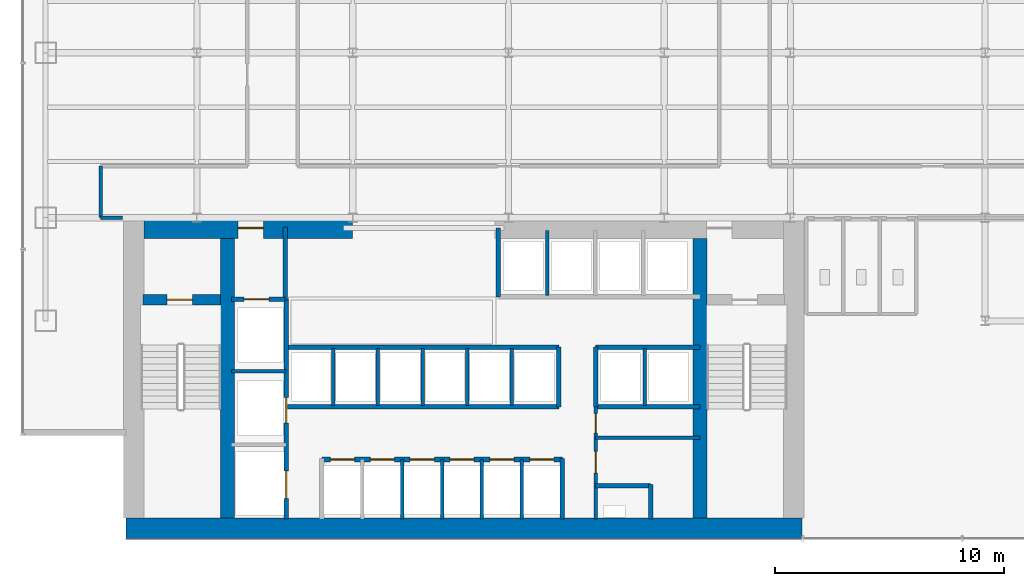
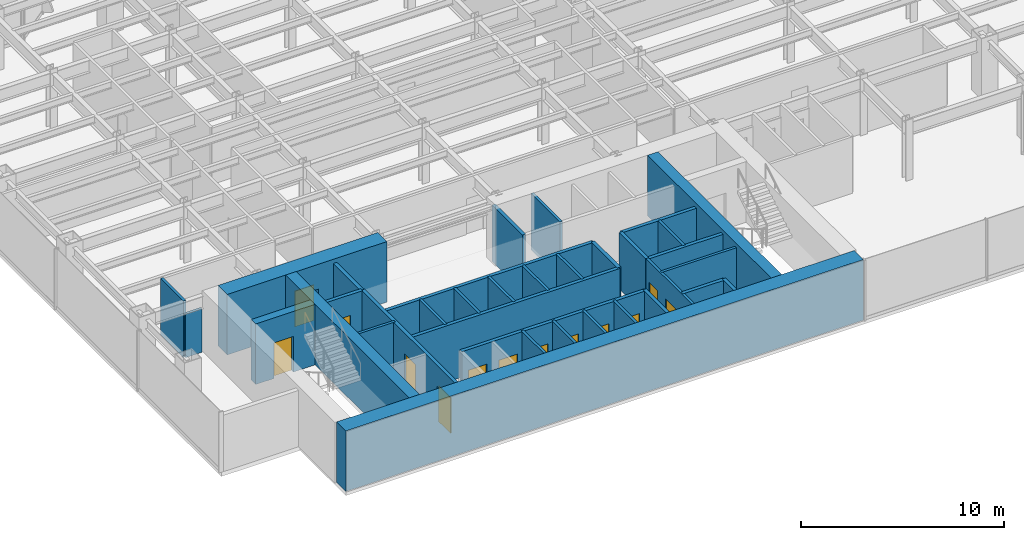
# One storey, part 18 of 23: 35 walls, 13 doors, 13 openings.
"""IFC4 building model written with IfcOpenShell, lengths in metres."""

from ifc_helpers import new_model, si_unit, derived_unit, direction, frame, frame_2d, origin, place, context, subcontext, project, spatial, rectangle, extrude, source, transform, mapped, material, layer, layer_set, type_object, element, fill, save


model = new_model("IFC4")

# Units and contexts
model_context = context("Model", 3, precision=1e-05, world=origin(), true_north=direction((0.0, 1.0)))
body_context = subcontext(model_context, "Body", "Model", "MODEL_VIEW")
ifc_project = project(units=[si_unit("LENGTHUNIT", "METRE"), si_unit("AREAUNIT", "SQUARE_METRE"), si_unit("VOLUMEUNIT", "CUBIC_METRE"), si_unit("PLANEANGLEUNIT", "RADIAN"), si_unit("MASSUNIT", "GRAM", prefix="KILO"), derived_unit("THERMALTRANSMITTANCEUNIT", [(si_unit("POWERUNIT", "WATT"), 1), (si_unit("LENGTHUNIT", "METRE"), -2), (si_unit("THERMODYNAMICTEMPERATUREUNIT", "KELVIN"), -1)])], contexts=[model_context])

# Site, building, storey
site_placement = place(None, origin())
site = spatial("IfcSite", under=ifc_project, at=site_placement, CompositionType="ELEMENT")
building_placement = place(site_placement, origin())
building = spatial("IfcBuilding", under=site, at=building_placement, Name="Skarnbrae Concourse Arena and Tower", CompositionType="ELEMENT")
storey_placement = place(building_placement, frame((0.0, 0.0, 43.449951171875)))
storey = spatial("IfcBuildingStorey", under=building, at=storey_placement, Name="L09", CompositionType="ELEMENT", Elevation=43.449951171875)

# Wall
ifc_material_1 = material(Name="Concrete 70 MPa (C70/85)", Category="concrete")
ifc_layer_1 = layer(ifc_material_1, 0.89990234375)
ifc_layer_set_1 = layer_set([ifc_layer_1], Name="Concrete 70 MPa (C70/85)")
wall_type_1 = type_object("IfcWallType", Name="WALL-CORE-900-C70", PredefinedType="SHEAR", material=ifc_layer_set_1)
shared_shape_1 = source(origin(), body_context, "Body", "SweptSolid", [
    extrude(rectangle(XDim=29.5, YDim=0.89990234375, at=frame_2d((14.75, 0.0))), origin(), (0.0, 0.0, 1.0), 3.650146484375),
])
wall_1_placement = place(storey_placement, frame((4.5, 0.449951171875, 0.0), z_axis=(0.0, 0.0, 1.0), x_axis=(1.0, 0.0, 0.0)))
element("IfcWall", 1, at=wall_1_placement, inside=storey, type_object=wall_type_1, Name="L09 Rear core shear wall CW-S", PredefinedType="SHEAR", context=body_context, shape_type="MappedRepresentation", body=[
    mapped(shared_shape_1, transform((0.0, 0.0, 0.0))),
])

# Wall, opening, door
shared_shape_2 = source(origin(), body_context, "Body", "SweptSolid", [
    extrude(rectangle(XDim=9.099853515625, YDim=0.89990234375, at=frame_2d((4.5498046875, 0.0))), origin(), (0.0, 0.0, 1.0), 3.650146484375),
])
wall_2_placement = place(storey_placement, frame((5.300048828125, 13.550048828125, 0.0), z_axis=(0.0, 0.0, 1.0), x_axis=(1.0, 0.0, 0.0)))
wall_2 = element("IfcWall", 2, at=wall_2_placement, inside=storey, type_object=wall_type_1, Name="L09 Rear core shear wall CW-NW", PredefinedType="SHEAR", context=body_context, shape_type="MappedRepresentation", body=[
    mapped(shared_shape_2, transform((0.0, 0.0, 0.0))),
])
opening_1_placement = place(wall_2_placement, frame((4.10009765625, 0.0, 0.0)))
opening_1 = element("IfcOpeningElement", 3, at=opening_1_placement, cuts=wall_2, Name="Opening DT-03", PredefinedType="OPENING", context=body_context, shape_type="SweptSolid", body=[
    extrude(rectangle(XDim=1.10009765625, YDim=2.14990234375, at=frame_2d((0.550048828125, 1.074951171875))), frame((0.0, 0.4599609375, 0.0), z_axis=(0.0, -1.0, 0.0), x_axis=(1.0, 0.0, 0.0)), (0.0, 0.0, 1.0), 0.919921875),
])
ifc_material_2 = material(Name="Steel CSA G40.21 350W", Category="steel")
door_type_1 = type_object("IfcDoorType", Name="DOOR-FIRE-1100-90M", OperationType="NOTDEFINED", PredefinedType="DOOR", material=ifc_material_2)
shared_shape_3 = source(origin(), body_context, "Body", "SweptSolid", [
    extrude(rectangle(XDim=1.10009765625, YDim=2.14990234375, at=frame_2d((0.550048828125, 1.074951171875))), frame((0.0, 0.02490234375, 0.0), z_axis=(0.0, -1.0, 0.0), x_axis=(1.0, 0.0, 0.0)), (0.0, 0.0, 1.0), 0.050048828125),
])
door_1_placement = place(opening_1_placement, origin())
door_1 = element("IfcDoor", 4, at=door_1_placement, inside=storey, type_object=door_type_1, Name="D-0415 Firefighting Lobby Exit Door", OperationType="SINGLE_SWING_RIGHT", OverallHeight=2.14990234375, OverallWidth=1.10009765625, PredefinedType="DOOR", context=body_context, shape_type="MappedRepresentation", body=[
    mapped(shared_shape_3, transform((0.0, 0.0, 0.0))),
])
fill(opening_1, door_1)

# Walls
ifc_layer_2 = layer(ifc_material_1, 0.60009765625)
ifc_layer_set_2 = layer_set([ifc_layer_2], Name="Concrete 70 MPa (C70/85)")
wall_type_2 = type_object("IfcWallType", Name="WALL-CORE-600-C70", PredefinedType="SHEAR", material=ifc_layer_set_2)
shared_shape_4 = source(origin(), body_context, "Body", "SweptSolid", [
    extrude(rectangle(XDim=12.2001953125, YDim=0.60009765625, at=frame_2d((6.10009765625, 0.0))), origin(), (0.0, 0.0, 1.0), 3.650146484375),
])
for number, where, z_axis, x_axis, name in (
    (5, (8.93994140625, 0.89990234375, 0.0), (0.0, 0.0, 1.0), (0.0, 1.0, 0.0), "L09 Rear core shear wall CW-WEB-W"),
    (6, (29.56005859375, 0.89990234375, 0.0), (0.0, 0.0, 1.0), (0.0, 1.0, 0.0), "L09 Rear core shear wall CW-WEB-E"),
):
    element("IfcWall", number, at=place(storey_placement, frame(where, z_axis=z_axis, x_axis=x_axis)), inside=storey, type_object=wall_type_2, Name=name, PredefinedType="SHEAR", context=body_context, shape_type="MappedRepresentation", body=[
        mapped(shared_shape_4, transform((0.0, 0.0, 0.0))),
    ])

# Wall, opening, door
ifc_material_3 = material(Name="Concrete 50 MPa (C50/60)", Category="concrete")
ifc_layer_3 = layer(ifc_material_3, 0.449951171875)
ifc_layer_set_3 = layer_set([ifc_layer_3], Name="Concrete 50 MPa (C50/60)")
wall_type_3 = type_object("IfcWallType", Name="WALL-CORE-450-C50", PredefinedType="SHEAR", material=ifc_layer_set_3)
shared_shape_5 = source(origin(), body_context, "Body", "SweptSolid", [
    extrude(rectangle(XDim=3.389892578125, YDim=0.449951171875, at=frame_2d((1.69482421875, 0.0))), origin(), (0.0, 0.0, 1.0), 3.650146484375),
])
wall_3_placement = place(storey_placement, frame((5.25, 10.419921875, 0.0), z_axis=(0.0, 0.0, 1.0), x_axis=(1.0, 0.0, 0.0)))
wall_3 = element("IfcWall", 7, at=wall_3_placement, inside=storey, type_object=wall_type_3, Name="L09 Rear core shear wall CW-ST1-N", PredefinedType="SHEAR", context=body_context, shape_type="MappedRepresentation", body=[
    mapped(shared_shape_5, transform((0.0, 0.0, 0.0))),
])
opening_2_placement = place(wall_3_placement, frame((1.050048828125, 0.0, 0.0)))
opening_2 = element("IfcOpeningElement", 8, at=opening_2_placement, cuts=wall_3, Name="Opening DT-03", PredefinedType="OPENING", context=body_context, shape_type="SweptSolid", body=[
    extrude(rectangle(XDim=1.10009765625, YDim=2.14990234375, at=frame_2d((0.550048828125, 1.074951171875))), frame((0.0, 0.23486328125, 0.0), z_axis=(0.0, -1.0, 0.0), x_axis=(1.0, 0.0, 0.0)), (0.0, 0.0, 1.0), 0.469970703125),
])
door_2_placement = place(opening_2_placement, frame((1.10009765625, 0.0, 0.0), z_axis=(0.0, 0.0, 1.0), x_axis=(-1.0, 0.0, 0.0)))
door_2 = element("IfcDoor", 9, at=door_2_placement, inside=storey, type_object=door_type_1, Name="D-0413 Stair ST-1 Door", OperationType="SINGLE_SWING_LEFT", OverallHeight=2.14990234375, OverallWidth=1.10009765625, PredefinedType="DOOR", context=body_context, shape_type="MappedRepresentation", body=[
    mapped(shared_shape_3, transform((0.0, 0.0, 0.0))),
])
fill(opening_2, door_2)

# Walls
ifc_material_4 = material(Name="Gypsum board on cold-formed steel studs", Category="steel")
ifc_layer_4 = layer(ifc_material_4, 0.14990234375)
ifc_layer_set_4 = layer_set([ifc_layer_4], Name="Gypsum board on cold-formed steel studs")
wall_type_4 = type_object("IfcWallType", Name="WALL-PART-150-1HR", PredefinedType="PARTITIONING", material=ifc_layer_set_4)
shared_shape_6 = source(origin(), body_context, "Body", "SweptSolid", [
    extrude(rectangle(XDim=0.9501953125, YDim=0.14990234375, at=frame_2d((0.47509765625, 0.0))), origin(), (0.0, 0.0, 1.0), 2.625),
])
wall_4_placement = place(storey_placement, frame((4.35009765625, 14.0, 0.0), z_axis=(0.0, 0.0, 1.0), x_axis=(-1.0, 0.0, 0.0)))
element("IfcWall", 10, at=wall_4_placement, inside=storey, type_object=wall_type_4, Name="L09 Interior partition wall W-L09-COR-01", PredefinedType="PARTITIONING", context=body_context, shape_type="MappedRepresentation", body=[
    mapped(shared_shape_6, transform((0.0, 0.0, 0.0))),
])
ifc_layer_5 = layer(ifc_material_4, 0.199951171875)
ifc_layer_set_5 = layer_set([ifc_layer_5], Name="Gypsum board on cold-formed steel studs")
wall_type_5 = type_object("IfcWallType", Name="WALL-PART-200-2HR", PredefinedType="PARTITIONING", material=ifc_layer_set_5)
shared_shape_7 = source(origin(), body_context, "Body", "SweptSolid", [
    extrude(rectangle(XDim=3.18017578125, YDim=0.199951171875, at=frame_2d((1.590087890625, 0.0))), origin(), (0.0, 0.0, 1.0), 3.400146484375),
])
wall_5_placement = place(storey_placement, frame((11.449951171875, 10.419921875, 0.0), z_axis=(0.0, 0.0, 1.0), x_axis=(0.0, 1.0, 0.0)))
element("IfcWall", 11, at=wall_5_placement, inside=storey, type_object=wall_type_5, Name="L09 Interior partition wall W-L09-FFL-E", PredefinedType="PARTITIONING", context=body_context, shape_type="MappedRepresentation", body=[
    mapped(shared_shape_7, transform((0.0, 0.0, 0.0))),
])

# Wall, opening, door
shared_shape_8 = source(origin(), body_context, "Body", "SweptSolid", [
    extrude(rectangle(XDim=2.349853515625, YDim=0.199951171875, at=frame_2d((1.1748046875, 0.0))), origin(), (0.0, 0.0, 1.0), 3.400146484375),
])
wall_6_placement = place(storey_placement, frame((9.10009765625, 10.449951171875, 0.0), z_axis=(0.0, 0.0, 1.0), x_axis=(1.0, 0.0, 0.0)))
wall_6 = element("IfcWall", 12, at=wall_6_placement, inside=storey, type_object=wall_type_5, Name="L09 Interior partition wall W-L09-FL1-N", PredefinedType="PARTITIONING", context=body_context, shape_type="MappedRepresentation", body=[
    mapped(shared_shape_8, transform((0.0, 0.0, 0.0))),
])
opening_3_placement = place(wall_6_placement, frame((0.550048828125, 0.0, 0.0)))
opening_3 = element("IfcOpeningElement", 13, at=opening_3_placement, cuts=wall_6, Name="Opening LD-01", PredefinedType="OPENING", context=body_context, shape_type="SweptSolid", body=[
    extrude(rectangle(XDim=1.10009765625, YDim=2.14990234375, at=frame_2d((0.550048828125, 1.074951171875))), frame((0.0, 0.10986328125, 0.0), z_axis=(0.0, -1.0, 0.0), x_axis=(1.0, 0.0, 0.0)), (0.0, 0.0, 1.0), 0.219970703125),
])
door_type_2 = type_object("IfcDoorType", Name="DOOR-LIFT-SLIDE-1100", OperationType="SLIDING_TO_LEFT", PredefinedType="DOOR", material=ifc_material_2)
door_3_placement = place(opening_3_placement, origin())
door_3 = element("IfcDoor", 14, at=door_3_placement, inside=storey, type_object=door_type_2, Name="D-0417 Firefighting Lift Landing Door FL-01", OperationType="SLIDING_TO_LEFT", OverallHeight=2.14990234375, OverallWidth=1.10009765625, PredefinedType="DOOR", context=body_context, shape_type="MappedRepresentation", body=[
    mapped(shared_shape_3, transform((0.0, 0.0, 0.0))),
])
fill(opening_3, door_3)

# Wall, openings, doors
shared_shape_9 = source(origin(), body_context, "Body", "SweptSolid", [
    extrude(rectangle(XDim=9.599853515625, YDim=0.199951171875, at=frame_2d((4.7998046875, 0.0))), origin(), (0.0, 0.0, 1.0), 3.400146484375),
])
wall_7_placement = place(storey_placement, frame((11.5, 0.85009765625, 0.0), z_axis=(0.0, 0.0, 1.0), x_axis=(0.0, 1.0, 0.0)))
wall_7 = element("IfcWall", 15, at=wall_7_placement, inside=storey, type_object=wall_type_5, Name="L09 Interior partition wall W-L09-FL-E", PredefinedType="PARTITIONING", context=body_context, shape_type="MappedRepresentation", body=[
    mapped(shared_shape_9, transform((0.0, 0.0, 0.0))),
])
opening_4_placement = place(wall_7_placement, frame((4.199951171875, 0.0, 0.0)))
opening_4 = element("IfcOpeningElement", 16, at=opening_4_placement, cuts=wall_7, Name="Opening LD-01", PredefinedType="OPENING", context=body_context, shape_type="SweptSolid", body=[
    extrude(rectangle(XDim=1.10009765625, YDim=2.14990234375, at=frame_2d((0.550048828125, 1.074951171875))), frame((0.0, 0.10986328125, 0.0), z_axis=(0.0, -1.0, 0.0), x_axis=(1.0, 0.0, 0.0)), (0.0, 0.0, 1.0), 0.219970703125),
])
opening_5_placement = place(wall_7_placement, frame((0.89990234375, 0.0, 0.0)))
opening_5 = element("IfcOpeningElement", 17, at=opening_5_placement, cuts=wall_7, Name="Opening LD-02", PredefinedType="OPENING", context=body_context, shape_type="SweptSolid", body=[
    extrude(rectangle(XDim=1.199951171875, YDim=2.14990234375, at=frame_2d((0.60009765625, 1.074951171875))), frame((0.0, 0.10986328125, 0.0), z_axis=(0.0, -1.0, 0.0), x_axis=(1.0, 0.0, 0.0)), (0.0, 0.0, 1.0), 0.219970703125),
])
door_4_placement = place(opening_4_placement, frame((1.10009765625, 0.0, 0.0), z_axis=(0.0, 0.0, 1.0), x_axis=(-1.0, 0.0, 0.0)))
door_4 = element("IfcDoor", 18, at=door_4_placement, inside=storey, type_object=door_type_2, Name="D-0418 Firefighting Lift Landing Door FL-02", OperationType="SLIDING_TO_LEFT", OverallHeight=2.14990234375, OverallWidth=1.10009765625, PredefinedType="DOOR", context=body_context, shape_type="MappedRepresentation", body=[
    mapped(shared_shape_3, transform((0.0, 0.0, 0.0))),
])
fill(opening_4, door_4)
door_type_3 = type_object("IfcDoorType", Name="DOOR-LIFT-SLIDE-1200", OperationType="SLIDING_TO_LEFT", PredefinedType="DOOR", material=ifc_material_2)
shared_shape_10 = source(origin(), body_context, "Body", "SweptSolid", [
    extrude(rectangle(XDim=1.199951171875, YDim=2.14990234375, at=frame_2d((0.60009765625, 1.074951171875))), frame((0.0, 0.02490234375, 0.0), z_axis=(0.0, -1.0, 0.0), x_axis=(1.0, 0.0, 0.0)), (0.0, 0.0, 1.0), 0.050048828125),
])
door_5_placement = place(opening_5_placement, frame((1.199951171875, 0.0, 0.0), z_axis=(0.0, 0.0, 1.0), x_axis=(-1.0, 0.0, 0.0)))
door_5 = element("IfcDoor", 19, at=door_5_placement, inside=storey, type_object=door_type_3, Name="D-0419 Service Lift Landing Door SV-01", OperationType="SLIDING_TO_LEFT", OverallHeight=2.14990234375, OverallWidth=1.199951171875, PredefinedType="DOOR", context=body_context, shape_type="MappedRepresentation", body=[
    mapped(shared_shape_10, transform((0.0, 0.0, 0.0))),
])
fill(opening_5, door_5)

# Walls
ifc_layer_6 = layer(ifc_material_4, 0.14990234375)
ifc_layer_set_6 = layer_set([ifc_layer_6], Name="Gypsum board on cold-formed steel studs")
wall_type_6 = type_object("IfcWallType", Name="WALL-PART-150", PredefinedType="PARTITIONING", material=ifc_layer_set_6)
shared_shape_11 = source(origin(), body_context, "Body", "SweptSolid", [
    extrude(rectangle(XDim=2.39990234375, YDim=0.14990234375, at=frame_2d((1.199951171875, 0.0))), origin(), (0.0, 0.0, 1.0), 3.400146484375),
])
wall_8_placement = place(storey_placement, frame((9.10009765625, 7.300048828125, 0.0), z_axis=(0.0, 0.0, 1.0), x_axis=(1.0, 0.0, 0.0)))
element("IfcWall", 20, at=wall_8_placement, inside=storey, type_object=wall_type_6, Name="L09 Interior partition wall W-L09-FL-D2", PredefinedType="PARTITIONING", context=body_context, shape_type="MappedRepresentation", body=[
    mapped(shared_shape_11, transform((0.0, 0.0, 0.0))),
])
shared_shape_12 = source(origin(), body_context, "Body", "SweptSolid", [
    extrude(rectangle(XDim=2.64990234375, YDim=0.199951171875, at=frame_2d((1.324951171875, 0.0))), origin(), (0.0, 0.0, 1.0), 3.400146484375),
])
wall_9_placement = place(storey_placement, frame((23.550048828125, 0.85009765625, 0.0), z_axis=(0.0, 0.0, 1.0), x_axis=(0.0, 1.0, 0.0)))
element("IfcWall", 21, at=wall_9_placement, inside=storey, type_object=wall_type_5, Name="L09 Interior partition wall W-L09-B1-E", PredefinedType="PARTITIONING", context=body_context, shape_type="MappedRepresentation", body=[
    mapped(shared_shape_12, transform((0.0, 0.0, 0.0))),
])

# Wall, openings, doors
shared_shape_13 = source(origin(), body_context, "Body", "SweptSolid", [
    extrude(rectangle(XDim=10.5, YDim=0.199951171875, at=frame_2d((5.25, 0.0))), origin(), (0.0, 0.0, 1.0), 3.400146484375),
])
wall_10_placement = place(storey_placement, frame((13.050048828125, 3.449951171875, 0.0), z_axis=(0.0, 0.0, 1.0), x_axis=(1.0, 0.0, 0.0)))
wall_10 = element("IfcWall", 22, at=wall_10_placement, inside=storey, type_object=wall_type_5, Name="L09 Interior partition wall W-L09-B1-N", PredefinedType="PARTITIONING", context=body_context, shape_type="MappedRepresentation", body=[
    mapped(shared_shape_13, transform((0.0, 0.0, 0.0))),
])
opening_6_placement = place(wall_10_placement, frame((0.3798828125, 0.0, 0.0)))
opening_6 = element("IfcOpeningElement", 23, at=opening_6_placement, cuts=wall_10, Name="Opening LD-03", PredefinedType="OPENING", context=body_context, shape_type="SweptSolid", body=[
    extrude(rectangle(XDim=1.050048828125, YDim=2.14990234375, at=frame_2d((0.52490234375, 1.074951171875))), frame((0.0, 0.10986328125, 0.0), z_axis=(0.0, -1.0, 0.0), x_axis=(1.0, 0.0, 0.0)), (0.0, 0.0, 1.0), 0.219970703125),
])
opening_7_placement = place(wall_10_placement, frame((2.1201171875, 0.0, 0.0)))
opening_7 = element("IfcOpeningElement", 24, at=opening_7_placement, cuts=wall_10, Name="Opening LD-03", PredefinedType="OPENING", context=body_context, shape_type="SweptSolid", body=[
    extrude(rectangle(XDim=1.050048828125, YDim=2.14990234375, at=frame_2d((0.52490234375, 1.074951171875))), frame((0.0, 0.10986328125, 0.0), z_axis=(0.0, -1.0, 0.0), x_axis=(1.0, 0.0, 0.0)), (0.0, 0.0, 1.0), 0.219970703125),
])
opening_8_placement = place(wall_10_placement, frame((3.860107421875, 0.0, 0.0)))
opening_8 = element("IfcOpeningElement", 25, at=opening_8_placement, cuts=wall_10, Name="Opening LD-03", PredefinedType="OPENING", context=body_context, shape_type="SweptSolid", body=[
    extrude(rectangle(XDim=1.050048828125, YDim=2.14990234375, at=frame_2d((0.52490234375, 1.074951171875))), frame((0.0, 0.10986328125, 0.0), z_axis=(0.0, -1.0, 0.0), x_axis=(1.0, 0.0, 0.0)), (0.0, 0.0, 1.0), 0.219970703125),
])
opening_9_placement = place(wall_10_placement, frame((5.60009765625, 0.0, 0.0)))
opening_9 = element("IfcOpeningElement", 26, at=opening_9_placement, cuts=wall_10, Name="Opening LD-03", PredefinedType="OPENING", context=body_context, shape_type="SweptSolid", body=[
    extrude(rectangle(XDim=1.050048828125, YDim=2.14990234375, at=frame_2d((0.52490234375, 1.074951171875))), frame((0.0, 0.10986328125, 0.0), z_axis=(0.0, -1.0, 0.0), x_axis=(1.0, 0.0, 0.0)), (0.0, 0.0, 1.0), 0.219970703125),
])
opening_10_placement = place(wall_10_placement, frame((7.340087890625, 0.0, 0.0)))
opening_10 = element("IfcOpeningElement", 27, at=opening_10_placement, cuts=wall_10, Name="Opening LD-03", PredefinedType="OPENING", context=body_context, shape_type="SweptSolid", body=[
    extrude(rectangle(XDim=1.050048828125, YDim=2.14990234375, at=frame_2d((0.52490234375, 1.074951171875))), frame((0.0, 0.10986328125, 0.0), z_axis=(0.0, -1.0, 0.0), x_axis=(1.0, 0.0, 0.0)), (0.0, 0.0, 1.0), 0.219970703125),
])
opening_11_placement = place(wall_10_placement, frame((9.080078125, 0.0, 0.0)))
opening_11 = element("IfcOpeningElement", 28, at=opening_11_placement, cuts=wall_10, Name="Opening LD-03", PredefinedType="OPENING", context=body_context, shape_type="SweptSolid", body=[
    extrude(rectangle(XDim=1.050048828125, YDim=2.14990234375, at=frame_2d((0.52490234375, 1.074951171875))), frame((0.0, 0.10986328125, 0.0), z_axis=(0.0, -1.0, 0.0), x_axis=(1.0, 0.0, 0.0)), (0.0, 0.0, 1.0), 0.219970703125),
])
ifc_material_5 = material(Name="Bronze anodised aluminium 6063-T6", Category="aluminium")
door_type_4 = type_object("IfcDoorType", Name="DOOR-LIFT-SLIDE-1050", OperationType="SLIDING_TO_LEFT", PredefinedType="DOOR", material=ifc_material_5)
shared_shape_14 = source(origin(), body_context, "Body", "SweptSolid", [
    extrude(rectangle(XDim=1.050048828125, YDim=2.14990234375, at=frame_2d((0.52490234375, 1.074951171875))), frame((0.0, 0.02490234375, 0.0), z_axis=(0.0, -1.0, 0.0), x_axis=(1.0, 0.0, 0.0)), (0.0, 0.0, 1.0), 0.050048828125),
])
door_6_placement = place(opening_6_placement, origin())
door_6 = element("IfcDoor", 29, at=door_6_placement, inside=storey, type_object=door_type_4, Name="D-0420 Passenger Lift Landing Door PL-1A", OperationType="SLIDING_TO_LEFT", OverallHeight=2.14990234375, OverallWidth=1.050048828125, PredefinedType="DOOR", context=body_context, shape_type="MappedRepresentation", body=[
    mapped(shared_shape_14, transform((0.0, 0.0, 0.0))),
])
fill(opening_6, door_6)
door_7_placement = place(opening_7_placement, origin())
door_7 = element("IfcDoor", 30, at=door_7_placement, inside=storey, type_object=door_type_4, Name="D-0421 Passenger Lift Landing Door PL-1B", OperationType="SLIDING_TO_LEFT", OverallHeight=2.14990234375, OverallWidth=1.050048828125, PredefinedType="DOOR", context=body_context, shape_type="MappedRepresentation", body=[
    mapped(shared_shape_14, transform((0.0, 0.0, 0.0))),
])
fill(opening_7, door_7)
door_8_placement = place(opening_8_placement, origin())
door_8 = element("IfcDoor", 31, at=door_8_placement, inside=storey, type_object=door_type_4, Name="D-0422 Passenger Lift Landing Door PL-1C", OperationType="SLIDING_TO_LEFT", OverallHeight=2.14990234375, OverallWidth=1.050048828125, PredefinedType="DOOR", context=body_context, shape_type="MappedRepresentation", body=[
    mapped(shared_shape_14, transform((0.0, 0.0, 0.0))),
])
fill(opening_8, door_8)
door_9_placement = place(opening_9_placement, origin())
door_9 = element("IfcDoor", 32, at=door_9_placement, inside=storey, type_object=door_type_4, Name="D-0423 Passenger Lift Landing Door PL-1D", OperationType="SLIDING_TO_LEFT", OverallHeight=2.14990234375, OverallWidth=1.050048828125, PredefinedType="DOOR", context=body_context, shape_type="MappedRepresentation", body=[
    mapped(shared_shape_14, transform((0.0, 0.0, 0.0))),
])
fill(opening_9, door_9)
door_10_placement = place(opening_10_placement, origin())
door_10 = element("IfcDoor", 33, at=door_10_placement, inside=storey, type_object=door_type_4, Name="D-0424 Passenger Lift Landing Door PL-1E", OperationType="SLIDING_TO_LEFT", OverallHeight=2.14990234375, OverallWidth=1.050048828125, PredefinedType="DOOR", context=body_context, shape_type="MappedRepresentation", body=[
    mapped(shared_shape_14, transform((0.0, 0.0, 0.0))),
])
fill(opening_10, door_10)
door_11_placement = place(opening_11_placement, origin())
door_11 = element("IfcDoor", 34, at=door_11_placement, inside=storey, type_object=door_type_4, Name="D-0425 Passenger Lift Landing Door PL-1F", OperationType="SLIDING_TO_LEFT", OverallHeight=2.14990234375, OverallWidth=1.050048828125, PredefinedType="DOOR", context=body_context, shape_type="MappedRepresentation", body=[
    mapped(shared_shape_14, transform((0.0, 0.0, 0.0))),
])
fill(opening_11, door_11)

# Walls
shared_shape_15 = source(origin(), body_context, "Body", "SweptSolid", [
    extrude(rectangle(XDim=2.599853515625, YDim=0.14990234375, at=frame_2d((1.2998046875, 0.0))), origin(), (0.0, 0.0, 1.0), 3.400146484375),
])
for number, where, z_axis, x_axis, name in (
    (35, (16.56005859375, 0.85009765625, 0.0), (0.0, 0.0, 1.0), (0.0, 1.0, 0.0), "L09 Interior partition wall W-L09-B1-P2"),
    (36, (18.300048828125, 0.85009765625, 0.0), (0.0, 0.0, 1.0), (0.0, 1.0, 0.0), "L09 Interior partition wall W-L09-B1-P3"),
    (37, (20.0400390625, 0.85009765625, 0.0), (0.0, 0.0, 1.0), (0.0, 1.0, 0.0), "L09 Interior partition wall W-L09-B1-P4"),
    (38, (21.780029296875, 0.85009765625, 0.0), (0.0, 0.0, 1.0), (0.0, 1.0, 0.0), "L09 Interior partition wall W-L09-B1-P5"),
):
    element("IfcWall", number, at=place(storey_placement, frame(where, z_axis=z_axis, x_axis=x_axis)), inside=storey, type_object=wall_type_6, Name=name, PredefinedType="PARTITIONING", context=body_context, shape_type="MappedRepresentation", body=[
        mapped(shared_shape_15, transform((0.0, 0.0, 0.0))),
    ])
shared_shape_16 = source(origin(), body_context, "Body", "SweptSolid", [
    extrude(rectangle(XDim=11.849853515625, YDim=0.199951171875, at=frame_2d((5.9248046875, 0.0))), origin(), (0.0, 0.0, 1.0), 3.400146484375),
])
for number, where, z_axis, x_axis, name in (
    (39, (11.550048828125, 5.75, 0.0), (0.0, 0.0, 1.0), (1.0, 0.0, 0.0), "L09 Interior partition wall W-L09-B2-S"),
    (40, (11.550048828125, 8.35009765625, 0.0), (0.0, 0.0, 1.0), (1.0, 0.0, 0.0), "L09 Interior partition wall W-L09-B2-N"),
):
    element("IfcWall", number, at=place(storey_placement, frame(where, z_axis=z_axis, x_axis=x_axis)), inside=storey, type_object=wall_type_5, Name=name, PredefinedType="PARTITIONING", context=body_context, shape_type="MappedRepresentation", body=[
        mapped(shared_shape_16, transform((0.0, 0.0, 0.0))),
    ])
shared_shape_17 = source(origin(), body_context, "Body", "SweptSolid", [
    extrude(rectangle(XDim=2.60009765625, YDim=0.199951171875, at=frame_2d((1.300048828125, 0.0))), origin(), (0.0, 0.0, 1.0), 3.400146484375),
])
for number, where, z_axis, x_axis, name in (
    (41, (23.39990234375, 5.75, 0.0), (0.0, 0.0, 1.0), (0.0, 1.0, 0.0), "L09 Interior partition wall W-L09-B2-E"),
    (42, (25.0, 5.75, 0.0), (0.0, 0.0, 1.0), (0.0, 1.0, 0.0), "L09 Interior partition wall W-L09-B3S-W"),
):
    element("IfcWall", number, at=place(storey_placement, frame(where, z_axis=z_axis, x_axis=x_axis)), inside=storey, type_object=wall_type_5, Name=name, PredefinedType="PARTITIONING", context=body_context, shape_type="MappedRepresentation", body=[
        mapped(shared_shape_17, transform((0.0, 0.0, 0.0))),
    ])
shared_shape_18 = source(origin(), body_context, "Body", "SweptSolid", [
    extrude(rectangle(XDim=2.5, YDim=0.14990234375, at=frame_2d((1.25, 0.0))), origin(), (0.0, 0.0, 1.0), 3.400146484375),
])
for number, where, z_axis, x_axis, name in (
    (43, (13.550048828125, 5.800048828125, 0.0), (0.0, 0.0, 1.0), (0.0, 1.0, 0.0), "L09 Interior partition wall W-L09-B2-P1"),
    (44, (15.5, 5.800048828125, 0.0), (0.0, 0.0, 1.0), (0.0, 1.0, 0.0), "L09 Interior partition wall W-L09-B2-P2"),
    (45, (17.449951171875, 5.800048828125, 0.0), (0.0, 0.0, 1.0), (0.0, 1.0, 0.0), "L09 Interior partition wall W-L09-B2-P3"),
    (46, (19.39990234375, 5.800048828125, 0.0), (0.0, 0.0, 1.0), (0.0, 1.0, 0.0), "L09 Interior partition wall W-L09-B2-P4"),
    (47, (21.35009765625, 5.800048828125, 0.0), (0.0, 0.0, 1.0), (0.0, 1.0, 0.0), "L09 Interior partition wall W-L09-B2-P5"),
    (48, (27.139892578125, 5.800048828125, 0.0), (0.0, 0.0, 1.0), (0.0, 1.0, 0.0), "L09 Interior partition wall W-L09-B3S-P1"),
):
    element("IfcWall", number, at=place(storey_placement, frame(where, z_axis=z_axis, x_axis=x_axis)), inside=storey, type_object=wall_type_6, Name=name, PredefinedType="PARTITIONING", context=body_context, shape_type="MappedRepresentation", body=[
        mapped(shared_shape_18, transform((0.0, 0.0, 0.0))),
    ])
shared_shape_19 = source(origin(), body_context, "Body", "SweptSolid", [
    extrude(rectangle(XDim=3.0, YDim=0.199951171875, at=frame_2d((1.5, 0.0))), origin(), (0.0, 0.0, 1.0), 3.400146484375),
])
wall_11_placement = place(storey_placement, frame((20.75, 10.550048828125, 0.0), z_axis=(0.0, 0.0, 1.0), x_axis=(0.0, 1.0, 0.0)))
element("IfcWall", 49, at=wall_11_placement, inside=storey, type_object=wall_type_5, Name="L09 Interior partition wall W-L09-B3N-W", PredefinedType="PARTITIONING", context=body_context, shape_type="MappedRepresentation", body=[
    mapped(shared_shape_19, transform((0.0, 0.0, 0.0))),
])
shared_shape_20 = source(origin(), body_context, "Body", "SweptSolid", [
    extrude(rectangle(XDim=2.849853515625, YDim=0.14990234375, at=frame_2d((1.4248046875, 0.0))), origin(), (0.0, 0.0, 1.0), 3.400146484375),
])
wall_12_placement = place(storey_placement, frame((22.889892578125, 10.60009765625, 0.0), z_axis=(0.0, 0.0, 1.0), x_axis=(0.0, 1.0, 0.0)))
element("IfcWall", 50, at=wall_12_placement, inside=storey, type_object=wall_type_6, Name="L09 Interior partition wall W-L09-B3N-P1", PredefinedType="PARTITIONING", context=body_context, shape_type="MappedRepresentation", body=[
    mapped(shared_shape_20, transform((0.0, 0.0, 0.0))),
])
shared_shape_21 = source(origin(), body_context, "Body", "SweptSolid", [
    extrude(rectangle(XDim=4.550048828125, YDim=0.199951171875, at=frame_2d((2.27490234375, 0.0))), origin(), (0.0, 0.0, 1.0), 3.400146484375),
])
for number, where, z_axis, x_axis, name in (
    (51, (25.0, 8.35009765625, 0.0), (0.0, 0.0, 1.0), (1.0, 0.0, 0.0), "L09 Interior partition wall W-L09-B3S-N"),
    (52, (25.0, 5.75, 0.0), (0.0, 0.0, 1.0), (1.0, 0.0, 0.0), "L09 Interior partition wall W-L09-B3S-S"),
):
    element("IfcWall", number, at=place(storey_placement, frame(where, z_axis=z_axis, x_axis=x_axis)), inside=storey, type_object=wall_type_5, Name=name, PredefinedType="PARTITIONING", context=body_context, shape_type="MappedRepresentation", body=[
        mapped(shared_shape_21, transform((0.0, 0.0, 0.0))),
    ])

# Wall, openings, doors
shared_shape_22 = source(origin(), body_context, "Body", "SweptSolid", [
    extrude(rectangle(XDim=4.89990234375, YDim=0.14990234375, at=frame_2d((2.449951171875, 0.0))), origin(), (0.0, 0.0, 1.0), 3.400146484375),
])
wall_13_placement = place(storey_placement, frame((25.0, 0.85009765625, 0.0), z_axis=(0.0, 0.0, 1.0), x_axis=(0.0, 1.0, 0.0)))
wall_13 = element("IfcWall", 53, at=wall_13_placement, inside=storey, type_object=wall_type_4, Name="L09 Interior partition wall W-L09-CSV-W", PredefinedType="PARTITIONING", context=body_context, shape_type="MappedRepresentation", body=[
    mapped(shared_shape_22, transform((0.0, 0.0, 0.0))),
])
opening_12_placement = place(wall_13_placement, frame((2.0, 0.0, 0.0)))
opening_12 = element("IfcOpeningElement", 54, at=opening_12_placement, cuts=wall_13, Name="Opening DT-04", PredefinedType="OPENING", context=body_context, shape_type="SweptSolid", body=[
    extrude(rectangle(XDim=0.949951171875, YDim=2.14990234375, at=frame_2d((0.47509765625, 1.074951171875))), frame((0.0, 0.0849609375, 0.0), z_axis=(0.0, -1.0, 0.0), x_axis=(1.0, 0.0, 0.0)), (0.0, 0.0, 1.0), 0.169921875),
])
opening_13_placement = place(wall_13_placement, frame((3.75, 0.0, 0.0)))
opening_13 = element("IfcOpeningElement", 55, at=opening_13_placement, cuts=wall_13, Name="Opening DT-08", PredefinedType="OPENING", context=body_context, shape_type="SweptSolid", body=[
    extrude(rectangle(XDim=0.85009765625, YDim=2.14990234375, at=frame_2d((0.425048828125, 1.074951171875))), frame((0.0, 0.0849609375, 0.0), z_axis=(0.0, -1.0, 0.0), x_axis=(1.0, 0.0, 0.0)), (0.0, 0.0, 1.0), 0.169921875),
])
door_type_5 = type_object("IfcDoorType", Name="DOOR-INT-950-45M", OperationType="NOTDEFINED", PredefinedType="DOOR", material=ifc_material_2)
shared_shape_23 = source(origin(), body_context, "Body", "SweptSolid", [
    extrude(rectangle(XDim=0.949951171875, YDim=2.14990234375, at=frame_2d((0.47509765625, 1.074951171875))), frame((0.0, 0.02490234375, 0.0), z_axis=(0.0, -1.0, 0.0), x_axis=(1.0, 0.0, 0.0)), (0.0, 0.0, 1.0), 0.050048828125),
])
door_12_placement = place(opening_12_placement, origin())
door_12 = element("IfcDoor", 56, at=door_12_placement, inside=storey, type_object=door_type_5, Name="D-0426 Telemetry Room Door", OperationType="SINGLE_SWING_LEFT", OverallHeight=2.14990234375, OverallWidth=0.949951171875, PredefinedType="DOOR", context=body_context, shape_type="MappedRepresentation", body=[
    mapped(shared_shape_23, transform((0.0, 0.0, 0.0))),
])
fill(opening_12, door_12)
door_type_6 = type_object("IfcDoorType", Name="DOOR-INT-850-45M", OperationType="NOTDEFINED", PredefinedType="DOOR", material=ifc_material_2)
shared_shape_24 = source(origin(), body_context, "Body", "SweptSolid", [
    extrude(rectangle(XDim=0.85009765625, YDim=2.14990234375, at=frame_2d((0.425048828125, 1.074951171875))), frame((0.0, 0.02490234375, 0.0), z_axis=(0.0, -1.0, 0.0), x_axis=(1.0, 0.0, 0.0)), (0.0, 0.0, 1.0), 0.050048828125),
])
door_13_placement = place(opening_13_placement, origin())
door_13 = element("IfcDoor", 57, at=door_13_placement, inside=storey, type_object=door_type_6, Name="D-0427 Recycling Room Door", OperationType="SINGLE_SWING_RIGHT", OverallHeight=2.14990234375, OverallWidth=0.85009765625, PredefinedType="DOOR", context=body_context, shape_type="MappedRepresentation", body=[
    mapped(shared_shape_24, transform((0.0, 0.0, 0.0))),
])
fill(opening_13, door_13)

# Walls
shared_shape_25 = source(origin(), body_context, "Body", "SweptSolid", [
    extrude(rectangle(XDim=2.39990234375, YDim=0.199951171875, at=frame_2d((1.199951171875, 0.0))), origin(), (0.0, 0.0, 1.0), 3.400146484375),
])
wall_14_placement = place(storey_placement, frame((25.0, 2.300048828125, 0.0), z_axis=(0.0, 0.0, 1.0), x_axis=(1.0, 0.0, 0.0)))
element("IfcWall", 58, at=wall_14_placement, inside=storey, type_object=wall_type_5, Name="L09 Interior partition wall W-L09-MEP-N", PredefinedType="PARTITIONING", context=body_context, shape_type="MappedRepresentation", body=[
    mapped(shared_shape_25, transform((0.0, 0.0, 0.0))),
])
shared_shape_26 = source(origin(), body_context, "Body", "SweptSolid", [
    extrude(rectangle(XDim=1.5, YDim=0.199951171875, at=frame_2d((0.75, 0.0))), origin(), (0.0, 0.0, 1.0), 3.400146484375),
])
wall_15_placement = place(storey_placement, frame((27.39990234375, 0.85009765625, 0.0), z_axis=(0.0, 0.0, 1.0), x_axis=(0.0, 1.0, 0.0)))
element("IfcWall", 59, at=wall_15_placement, inside=storey, type_object=wall_type_5, Name="L09 Interior partition wall W-L09-MEP-E", PredefinedType="PARTITIONING", context=body_context, shape_type="MappedRepresentation", body=[
    mapped(shared_shape_26, transform((0.0, 0.0, 0.0))),
])
shared_shape_27 = source(origin(), body_context, "Body", "SweptSolid", [
    extrude(rectangle(XDim=2.25, YDim=0.14990234375, at=frame_2d((1.125, 0.0))), origin(), (0.0, 0.0, 1.0), 3.400146484375),
])
wall_16_placement = place(storey_placement, frame((3.39990234375, 14.0, 0.0), z_axis=(0.0, 0.0, 1.0), x_axis=(0.0, 1.0, 0.0)))
element("IfcWall", 60, at=wall_16_placement, inside=storey, type_object=wall_type_4, Name="L09 Interior partition wall W-L09-COR-02", PredefinedType="PARTITIONING", context=body_context, shape_type="MappedRepresentation", body=[
    mapped(shared_shape_27, transform((0.0, 0.0, 0.0))),
])
shared_shape_28 = source(origin(), body_context, "Body", "SweptSolid", [
    extrude(rectangle(XDim=4.550048828125, YDim=0.14990234375, at=frame_2d((2.27490234375, 0.0))), origin(), (0.0, 0.0, 1.0), 3.400146484375),
])
wall_17_placement = place(storey_placement, frame((25.0, 4.39990234375, 0.0), z_axis=(0.0, 0.0, 1.0), x_axis=(1.0, 0.0, 0.0)))
element("IfcWall", 61, at=wall_17_placement, inside=storey, type_object=wall_type_6, Name="L09 Interior partition wall W-L09-CSV-H", PredefinedType="PARTITIONING", context=body_context, shape_type="MappedRepresentation", body=[
    mapped(shared_shape_28, transform((0.0, 0.0, 0.0))),
])

save(model, "model.ifc")
